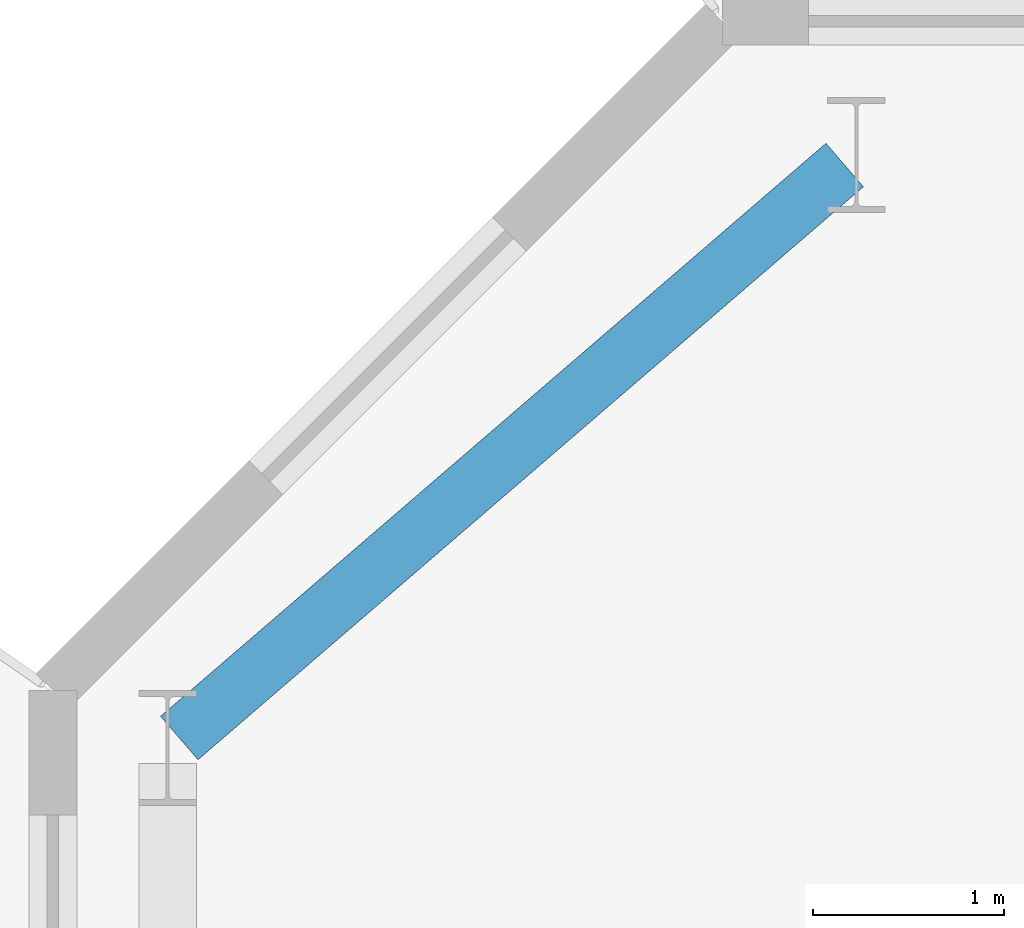
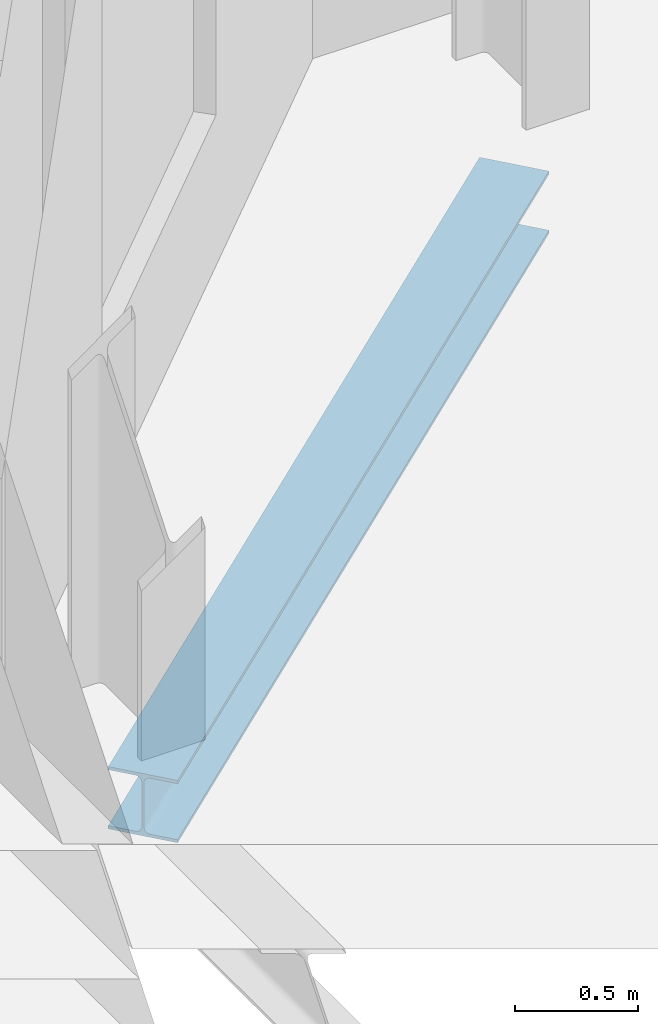
# One storey, part 12 of 18: 1 beam.
"""IFC4 building model written with IfcOpenShell, lengths in metres."""

from ifc_helpers import new_model, si_unit, direction, frame, origin, origin_2d, place, context, subcontext, project, spatial, i_section, extrude, material, material_profile, profile_set, type_object, element, save


model = new_model("IFC4")

# Units and contexts
model_context = context("Model", 3, precision=1e-05, world=origin(), true_north=direction((0.0, 1.0)))
body_context = subcontext(model_context, "Body", "Model", "MODEL_VIEW")
ifc_project = project(units=[si_unit("LENGTHUNIT", "METRE"), si_unit("AREAUNIT", "SQUARE_METRE"), si_unit("VOLUMEUNIT", "CUBIC_METRE"), si_unit("PLANEANGLEUNIT", "RADIAN"), si_unit("MASSUNIT", "GRAM", prefix="KILO")], contexts=[model_context])

# Site, building, storey
site_placement = place(None, origin())
site = spatial("IfcSite", under=ifc_project, at=site_placement, CompositionType="ELEMENT")
building_placement = place(site_placement, origin())
building = spatial("IfcBuilding", under=site, at=building_placement, Name="Catumbela Crestline Tower", CompositionType="ELEMENT")
storey_placement = place(building_placement, frame((0.0, 0.0, 148.8)))
storey = spatial("IfcBuildingStorey", under=building, at=storey_placement, Name="L38", CompositionType="ELEMENT", Elevation=148.8)

# Beam
ifc_material = material(Name="Structural steel S355J2", Category="steel")
ifc_material_profile = material_profile(ifc_material, i_section(OverallWidth=0.3, OverallDepth=0.31, WebThickness=0.009, FlangeThickness=0.0155, FilletRadius=0.027, at=origin_2d()), Name="HEA 320")
ifc_profile_set = profile_set([ifc_material_profile], Name="Structural steel S355J2")
beam_type = type_object("IfcBeamType", Name="BS-HEA320", PredefinedType="SPANDREL", material=ifc_profile_set)
beam_placement = place(storey_placement, frame((5.6606, 39.2522, -0.505), z_axis=(0.757772392559, 0.652518966066, 0.0), x_axis=(-0.652518966066, 0.757772392559, 0.0)))
element("IfcBeam", 1, at=beam_placement, inside=storey, type_object=beam_type, Name="L38 Spandrel SP-L38-N10", PredefinedType="SPANDREL", context=body_context, shape_type="SweptSolid", body=[
    extrude(i_section(OverallWidth=0.3, OverallDepth=0.31, WebThickness=0.009, FlangeThickness=0.0155, FilletRadius=0.027, at=origin_2d()), origin(), (0.0, 0.0, 1.0), 4.5908),
])

save(model, "model.ifc")
